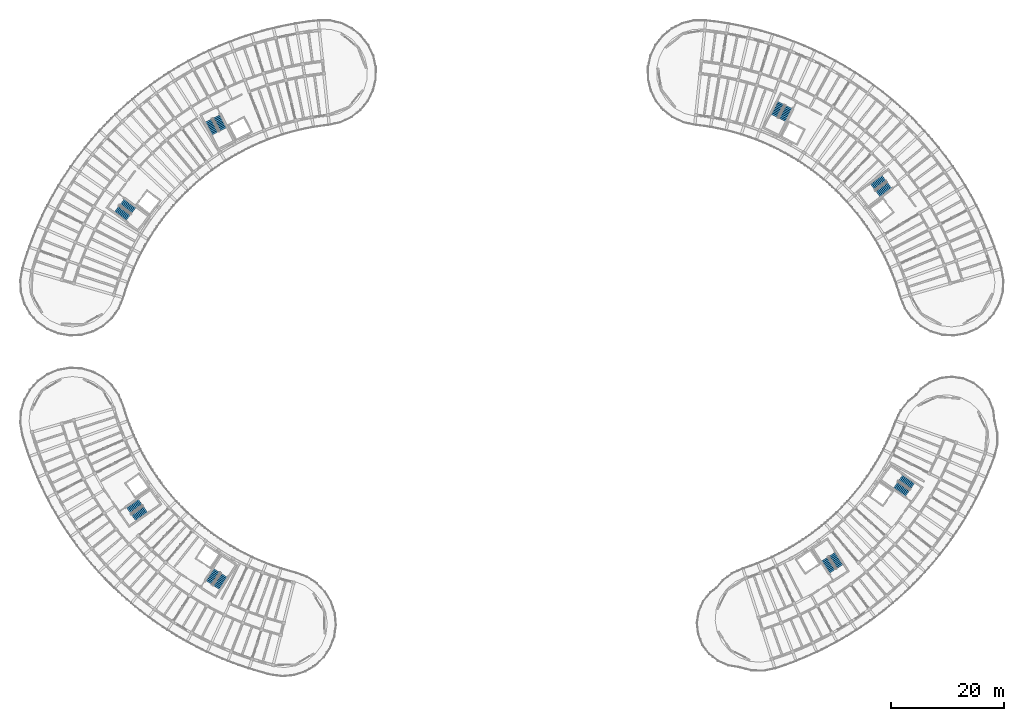
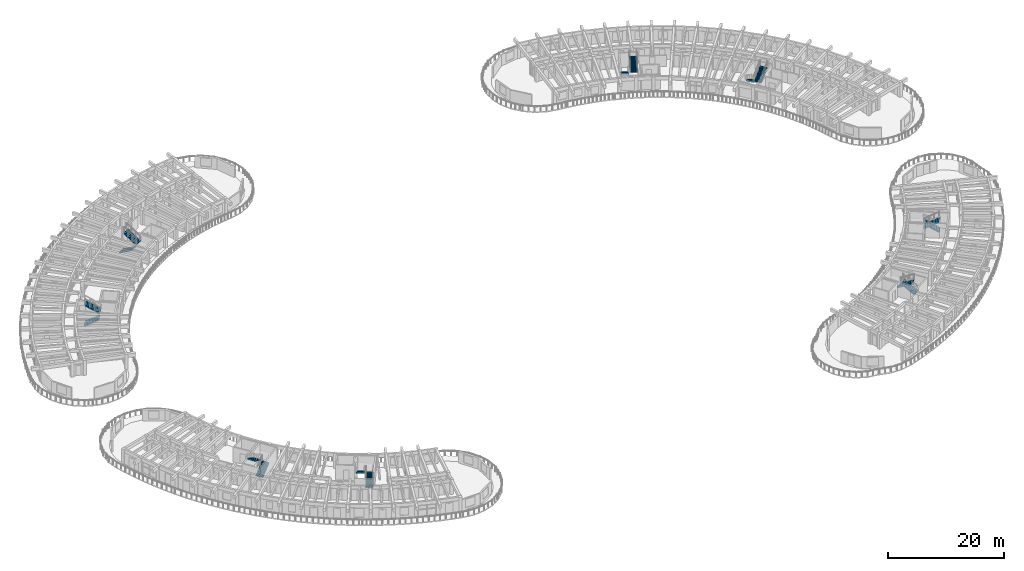
# One storey, part 60 of 81: 16 stair flights, 8 elements without a shape of their own.
"""IFC4 building model written with IfcOpenShell, lengths in metres."""

from ifc_helpers import new_model, si_unit, direction, frame, origin, place, context, subcontext, project, spatial, polyline, outline, extrude, material, layer, layer_set, type_object, element, aggregate, save


model = new_model("IFC4")

# Units and contexts
model_context = context("Model", 3, precision=1e-05, world=origin(), true_north=direction((0.0, 1.0)))
body_context = subcontext(model_context, "Body", "Model", "MODEL_VIEW")
ifc_project = project(units=[si_unit("LENGTHUNIT", "METRE"), si_unit("AREAUNIT", "SQUARE_METRE"), si_unit("VOLUMEUNIT", "CUBIC_METRE"), si_unit("PLANEANGLEUNIT", "RADIAN"), si_unit("MASSUNIT", "GRAM", prefix="KILO")], contexts=[model_context])

# Site, building, storey
site_placement = place(None, origin())
site = spatial("IfcSite", under=ifc_project, at=site_placement, CompositionType="ELEMENT")
building_placement = place(site_placement, origin())
building = spatial("IfcBuilding", under=site, at=building_placement, Name="Tanwirah Colonnade Gardens", CompositionType="ELEMENT")
storey_placement = place(building_placement, frame((0.0, 0.0, 18.919921875)))
storey = spatial("IfcBuildingStorey", under=building, at=storey_placement, Name="L05", CompositionType="ELEMENT", Elevation=18.919921875)

# Stair, stair flights
ifc_material = material(Name="Precast concrete C40/50", Category="concrete")
stair_type = type_object("IfcStairType", Name="ST-RES168", PredefinedType="HALF_TURN_STAIR", material=ifc_material)
stair_1_placement = place(storey_placement, origin())
stair_1 = element("IfcStair", 1, at=stair_1_placement, inside=storey, type_object=stair_type, Name="L05 Block A Core 1 Exit Stair", PredefinedType="HALF_TURN_STAIR")
ifc_layer = layer(ifc_material, 0.14990234375)
ifc_layer_set = layer_set([ifc_layer], Name="Precast concrete C40/50")
stair_flight_type = type_object("IfcStairFlightType", Name="FLT-RES150", PredefinedType="STRAIGHT", material=ifc_layer_set)
stair_flight_1_placement = place(storey_placement, frame((39.148681640625, 103.425048828125, 0.0), z_axis=(0.0, 0.0, 1.0), x_axis=(0.45399049974, -0.891006524188, 0.0)))
stair_flight_1 = element("IfcStairFlight", 2, at=stair_flight_1_placement, type_object=stair_flight_type, Name="ST-A1 flight 1", NumberOfRisers=10, NumberOfTreads=9, PredefinedType="STRAIGHT", RiserHeight=0.168, TreadLength=0.285, context=body_context, shape_type="SweptSolid", body=[
    extrude(outline(polyline([(-0.0048828125, 0.0), (0.0, 0.16796875), (0.284912109375, 0.16796875), (0.284912109375, 0.3359375), (0.570068359375, 0.3359375), (0.570068359375, 0.50390625), (0.85498046875, 0.50390625), (0.85498046875, 0.672119140625), (1.139892578125, 0.672119140625), (1.139892578125, 0.840087890625), (1.425048828125, 0.840087890625), (1.425048828125, 1.008056640625), (1.7099609375, 1.008056640625), (1.7099609375, 1.176025390625), (1.9951171875, 1.176025390625), (1.9951171875, 1.343994140625), (2.280029296875, 1.343994140625), (2.280029296875, 1.511962890625), (2.56494140625, 1.511962890625), (2.570068359375, 1.679931640625), (2.570068359375, 1.337890625), (0.30029296875, 0.0), (-0.0048828125, 0.0)])), frame((0.0, 0.68994140625, 0.0), z_axis=(0.0, -1.0, 0.0), x_axis=(1.0, 0.0, 0.0)), (0.0, 0.0, 1.0), 1.3798828125),
])
stair_flight_2_placement = place(storey_placement, frame((41.685302734375, 101.838623046875, 1.68017578125), z_axis=(0.0, 0.0, 1.0), x_axis=(-0.45399049974, 0.891006524188, 0.0)))
stair_flight_2 = element("IfcStairFlight", 3, at=stair_flight_2_placement, type_object=stair_flight_type, Name="ST-A1 flight 2", NumberOfRisers=10, NumberOfTreads=9, PredefinedType="STRAIGHT", RiserHeight=0.168, TreadLength=0.285, context=body_context, shape_type="SweptSolid", body=[
    extrude(outline(polyline([(-0.0048828125, 0.0), (0.0, 0.16796875), (0.284912109375, 0.16796875), (0.284912109375, 0.3359375), (0.570068359375, 0.3359375), (0.570068359375, 0.50390625), (0.85498046875, 0.50390625), (0.85498046875, 0.672119140625), (1.139892578125, 0.672119140625), (1.139892578125, 0.840087890625), (1.425048828125, 0.840087890625), (1.425048828125, 1.008056640625), (1.7099609375, 1.008056640625), (1.7099609375, 1.176025390625), (1.9951171875, 1.176025390625), (1.9951171875, 1.343994140625), (2.280029296875, 1.343994140625), (2.280029296875, 1.511962890625), (2.56494140625, 1.511962890625), (2.570068359375, 1.679931640625), (2.570068359375, 1.337890625), (0.30029296875, 0.0), (-0.0048828125, 0.0)])), frame((0.0, 0.68994140625, 0.0), z_axis=(0.0, -1.0, 0.0), x_axis=(1.0, 0.0, 0.0)), (0.0, 0.0, 1.0), 1.3798828125),
])
aggregate(stair_1, [stair_flight_1, stair_flight_2])

stair_2_placement = place(storey_placement, origin())
stair_2 = element("IfcStair", 4, at=stair_2_placement, inside=storey, type_object=stair_type, Name="L05 Block A Core 2 Exit Stair", PredefinedType="HALF_TURN_STAIR")
stair_flight_3_placement = place(storey_placement, frame((22.81640625, 87.7177734375, 0.0), z_axis=(0.0, 0.0, 1.0), x_axis=(0.798635510047, -0.601815023152, 0.0)))
stair_flight_3 = element("IfcStairFlight", 5, at=stair_flight_3_placement, type_object=stair_flight_type, Name="ST-A2 flight 1", NumberOfRisers=10, NumberOfTreads=9, PredefinedType="STRAIGHT", RiserHeight=0.168, TreadLength=0.285, context=body_context, shape_type="SweptSolid", body=[
    extrude(outline(polyline([(-0.0048828125, 0.0), (0.0, 0.16796875), (0.284912109375, 0.16796875), (0.284912109375, 0.3359375), (0.570068359375, 0.3359375), (0.570068359375, 0.50390625), (0.85498046875, 0.50390625), (0.85498046875, 0.672119140625), (1.139892578125, 0.672119140625), (1.139892578125, 0.840087890625), (1.425048828125, 0.840087890625), (1.425048828125, 1.008056640625), (1.7099609375, 1.008056640625), (1.7099609375, 1.176025390625), (1.9951171875, 1.176025390625), (1.9951171875, 1.343994140625), (2.280029296875, 1.343994140625), (2.280029296875, 1.511962890625), (2.56494140625, 1.511962890625), (2.570068359375, 1.679931640625), (2.570068359375, 1.337890625), (0.30029296875, 0.0), (-0.0048828125, 0.0)])), frame((0.0, 0.68994140625, 0.0), z_axis=(0.0, -1.0, 0.0), x_axis=(1.0, 0.0, 0.0)), (0.0, 0.0, 1.0), 1.3798828125),
])
stair_flight_4_placement = place(storey_placement, frame((25.791748046875, 87.404052734375, 1.68017578125), z_axis=(0.0, 0.0, 1.0), x_axis=(-0.798635510047, 0.601815023152, 0.0)))
stair_flight_4 = element("IfcStairFlight", 6, at=stair_flight_4_placement, type_object=stair_flight_type, Name="ST-A2 flight 2", NumberOfRisers=10, NumberOfTreads=9, PredefinedType="STRAIGHT", RiserHeight=0.168, TreadLength=0.285, context=body_context, shape_type="SweptSolid", body=[
    extrude(outline(polyline([(-0.0048828125, 0.0), (0.0, 0.16796875), (0.284912109375, 0.16796875), (0.284912109375, 0.3359375), (0.570068359375, 0.3359375), (0.570068359375, 0.50390625), (0.85498046875, 0.50390625), (0.85498046875, 0.672119140625), (1.139892578125, 0.672119140625), (1.139892578125, 0.840087890625), (1.425048828125, 0.840087890625), (1.425048828125, 1.008056640625), (1.7099609375, 1.008056640625), (1.7099609375, 1.176025390625), (1.9951171875, 1.176025390625), (1.9951171875, 1.343994140625), (2.280029296875, 1.343994140625), (2.280029296875, 1.511962890625), (2.56494140625, 1.511962890625), (2.570068359375, 1.679931640625), (2.570068359375, 1.337890625), (0.30029296875, 0.0), (-0.0048828125, 0.0)])), frame((0.0, 0.68994140625, 0.0), z_axis=(0.0, -1.0, 0.0), x_axis=(1.0, 0.0, 0.0)), (0.0, 0.0, 1.0), 1.3798828125),
])
aggregate(stair_2, [stair_flight_3, stair_flight_4])

stair_3_placement = place(storey_placement, origin())
stair_3 = element("IfcStair", 7, at=stair_3_placement, inside=storey, type_object=stair_type, Name="L05 Block B Core 1 Exit Stair", PredefinedType="HALF_TURN_STAIR")
stair_flight_5_placement = place(storey_placement, frame((159.079345703125, 93.16455078125, 0.0), z_axis=(0.0, 0.0, 1.0), x_axis=(-0.798635510047, -0.601815023152, 0.0)))
stair_flight_5 = element("IfcStairFlight", 8, at=stair_flight_5_placement, type_object=stair_flight_type, Name="ST-B1 flight 1", NumberOfRisers=10, NumberOfTreads=9, PredefinedType="STRAIGHT", RiserHeight=0.168, TreadLength=0.285, context=body_context, shape_type="SweptSolid", body=[
    extrude(outline(polyline([(-0.0048828125, 0.0), (0.0, 0.16796875), (0.284912109375, 0.16796875), (0.284912109375, 0.3359375), (0.570068359375, 0.3359375), (0.570068359375, 0.50390625), (0.85498046875, 0.50390625), (0.85498046875, 0.672119140625), (1.139892578125, 0.672119140625), (1.139892578125, 0.840087890625), (1.425048828125, 0.840087890625), (1.425048828125, 1.008056640625), (1.7099609375, 1.008056640625), (1.7099609375, 1.176025390625), (1.9951171875, 1.176025390625), (1.9951171875, 1.343994140625), (2.280029296875, 1.343994140625), (2.280029296875, 1.511962890625), (2.56494140625, 1.511962890625), (2.570068359375, 1.679931640625), (2.570068359375, 1.337890625), (0.30029296875, 0.0), (-0.0048828125, 0.0)])), frame((0.0, 0.68994140625, 0.0), z_axis=(0.0, -1.0, 0.0), x_axis=(1.0, 0.0, 0.0)), (0.0, 0.0, 1.0), 1.3798828125),
])
stair_flight_6_placement = place(storey_placement, frame((157.95751953125, 90.39111328125, 1.68017578125), z_axis=(0.0, 0.0, 1.0), x_axis=(0.798635510047, 0.601815023152, 0.0)))
stair_flight_6 = element("IfcStairFlight", 9, at=stair_flight_6_placement, type_object=stair_flight_type, Name="ST-B1 flight 2", NumberOfRisers=10, NumberOfTreads=9, PredefinedType="STRAIGHT", RiserHeight=0.168, TreadLength=0.285, context=body_context, shape_type="SweptSolid", body=[
    extrude(outline(polyline([(-0.0048828125, 0.0), (0.0, 0.16796875), (0.284912109375, 0.16796875), (0.284912109375, 0.3359375), (0.570068359375, 0.3359375), (0.570068359375, 0.50390625), (0.85498046875, 0.50390625), (0.85498046875, 0.672119140625), (1.139892578125, 0.672119140625), (1.139892578125, 0.840087890625), (1.425048828125, 0.840087890625), (1.425048828125, 1.008056640625), (1.7099609375, 1.008056640625), (1.7099609375, 1.176025390625), (1.9951171875, 1.176025390625), (1.9951171875, 1.343994140625), (2.280029296875, 1.343994140625), (2.280029296875, 1.511962890625), (2.56494140625, 1.511962890625), (2.570068359375, 1.679931640625), (2.570068359375, 1.337890625), (0.30029296875, 0.0), (-0.0048828125, 0.0)])), frame((0.0, 0.68994140625, 0.0), z_axis=(0.0, -1.0, 0.0), x_axis=(1.0, 0.0, 0.0)), (0.0, 0.0, 1.0), 1.3798828125),
])
aggregate(stair_3, [stair_flight_5, stair_flight_6])

stair_4_placement = place(storey_placement, origin())
stair_4 = element("IfcStair", 10, at=stair_4_placement, inside=storey, type_object=stair_type, Name="L05 Block B Core 2 Exit Stair", PredefinedType="HALF_TURN_STAIR")
stair_flight_7_placement = place(storey_placement, frame((140.774658203125, 106.521240234375, 0.0), z_axis=(0.0, 0.0, 1.0), x_axis=(-0.45399049974, -0.891006524188, 0.0)))
stair_flight_7 = element("IfcStairFlight", 11, at=stair_flight_7_placement, type_object=stair_flight_type, Name="ST-B2 flight 1", NumberOfRisers=10, NumberOfTreads=9, PredefinedType="STRAIGHT", RiserHeight=0.168, TreadLength=0.285, context=body_context, shape_type="SweptSolid", body=[
    extrude(outline(polyline([(-0.0048828125, 0.0), (0.0, 0.16796875), (0.284912109375, 0.16796875), (0.284912109375, 0.3359375), (0.570068359375, 0.3359375), (0.570068359375, 0.50390625), (0.85498046875, 0.50390625), (0.85498046875, 0.672119140625), (1.139892578125, 0.672119140625), (1.139892578125, 0.840087890625), (1.425048828125, 0.840087890625), (1.425048828125, 1.008056640625), (1.7099609375, 1.008056640625), (1.7099609375, 1.176025390625), (1.9951171875, 1.176025390625), (1.9951171875, 1.343994140625), (2.280029296875, 1.343994140625), (2.280029296875, 1.511962890625), (2.56494140625, 1.511962890625), (2.570068359375, 1.679931640625), (2.570068359375, 1.337890625), (0.30029296875, 0.0), (-0.0048828125, 0.0)])), frame((0.0, 0.68994140625, 0.0), z_axis=(0.0, -1.0, 0.0), x_axis=(1.0, 0.0, 0.0)), (0.0, 0.0, 1.0), 1.3798828125),
])
stair_flight_8_placement = place(storey_placement, frame((140.982421875, 103.53662109375, 1.68017578125), z_axis=(0.0, 0.0, 1.0), x_axis=(0.45399049974, 0.891006524188, 0.0)))
stair_flight_8 = element("IfcStairFlight", 12, at=stair_flight_8_placement, type_object=stair_flight_type, Name="ST-B2 flight 2", NumberOfRisers=10, NumberOfTreads=9, PredefinedType="STRAIGHT", RiserHeight=0.168, TreadLength=0.285, context=body_context, shape_type="SweptSolid", body=[
    extrude(outline(polyline([(-0.0048828125, 0.0), (0.0, 0.16796875), (0.284912109375, 0.16796875), (0.284912109375, 0.3359375), (0.570068359375, 0.3359375), (0.570068359375, 0.50390625), (0.85498046875, 0.50390625), (0.85498046875, 0.672119140625), (1.139892578125, 0.672119140625), (1.139892578125, 0.840087890625), (1.425048828125, 0.840087890625), (1.425048828125, 1.008056640625), (1.7099609375, 1.008056640625), (1.7099609375, 1.176025390625), (1.9951171875, 1.176025390625), (1.9951171875, 1.343994140625), (2.280029296875, 1.343994140625), (2.280029296875, 1.511962890625), (2.56494140625, 1.511962890625), (2.570068359375, 1.679931640625), (2.570068359375, 1.337890625), (0.30029296875, 0.0), (-0.0048828125, 0.0)])), frame((0.0, 0.68994140625, 0.0), z_axis=(0.0, -1.0, 0.0), x_axis=(1.0, 0.0, 0.0)), (0.0, 0.0, 1.0), 1.3798828125),
])
aggregate(stair_4, [stair_flight_7, stair_flight_8])

stair_5_placement = place(storey_placement, origin())
stair_5 = element("IfcStair", 13, at=stair_5_placement, inside=storey, type_object=stair_type, Name="L05 Block C Core 1 Exit Stair", PredefinedType="HALF_TURN_STAIR")
stair_flight_9_placement = place(storey_placement, frame((25.79345703125, 32.884521484375, 0.0), z_axis=(0.0, 0.0, 1.0), x_axis=(0.819152044289, 0.573576436351, 0.0)))
stair_flight_9 = element("IfcStairFlight", 14, at=stair_flight_9_placement, type_object=stair_flight_type, Name="ST-C1 flight 1", NumberOfRisers=10, NumberOfTreads=9, PredefinedType="STRAIGHT", RiserHeight=0.168, TreadLength=0.285, context=body_context, shape_type="SweptSolid", body=[
    extrude(outline(polyline([(-0.0048828125, 0.0), (0.0, 0.16796875), (0.284912109375, 0.16796875), (0.284912109375, 0.3359375), (0.570068359375, 0.3359375), (0.570068359375, 0.50390625), (0.85498046875, 0.50390625), (0.85498046875, 0.672119140625), (1.139892578125, 0.672119140625), (1.139892578125, 0.840087890625), (1.425048828125, 0.840087890625), (1.425048828125, 1.008056640625), (1.7099609375, 1.008056640625), (1.7099609375, 1.176025390625), (1.9951171875, 1.176025390625), (1.9951171875, 1.343994140625), (2.280029296875, 1.343994140625), (2.280029296875, 1.511962890625), (2.56494140625, 1.511962890625), (2.570068359375, 1.679931640625), (2.570068359375, 1.337890625), (0.30029296875, 0.0), (-0.0048828125, 0.0)])), frame((0.0, 0.68994140625, 0.0), z_axis=(0.0, -1.0, 0.0), x_axis=(1.0, 0.0, 0.0)), (0.0, 0.0, 1.0), 1.3798828125),
])
stair_flight_10_placement = place(storey_placement, frame((27.01123046875, 35.6171875, 1.68017578125), z_axis=(0.0, 0.0, 1.0), x_axis=(-0.819152044289, -0.573576436351, 0.0)))
stair_flight_10 = element("IfcStairFlight", 15, at=stair_flight_10_placement, type_object=stair_flight_type, Name="ST-C1 flight 2", NumberOfRisers=10, NumberOfTreads=9, PredefinedType="STRAIGHT", RiserHeight=0.168, TreadLength=0.285, context=body_context, shape_type="SweptSolid", body=[
    extrude(outline(polyline([(-0.0048828125, 0.0), (0.0, 0.16796875), (0.284912109375, 0.16796875), (0.284912109375, 0.3359375), (0.570068359375, 0.3359375), (0.570068359375, 0.50390625), (0.85498046875, 0.50390625), (0.85498046875, 0.672119140625), (1.139892578125, 0.672119140625), (1.139892578125, 0.840087890625), (1.425048828125, 0.840087890625), (1.425048828125, 1.008056640625), (1.7099609375, 1.008056640625), (1.7099609375, 1.176025390625), (1.9951171875, 1.176025390625), (1.9951171875, 1.343994140625), (2.280029296875, 1.343994140625), (2.280029296875, 1.511962890625), (2.56494140625, 1.511962890625), (2.570068359375, 1.679931640625), (2.570068359375, 1.337890625), (0.30029296875, 0.0), (-0.0048828125, 0.0)])), frame((0.0, 0.68994140625, 0.0), z_axis=(0.0, -1.0, 0.0), x_axis=(1.0, 0.0, 0.0)), (0.0, 0.0, 1.0), 1.3798828125),
])
aggregate(stair_5, [stair_flight_9, stair_flight_10])

stair_6_placement = place(storey_placement, origin())
stair_6 = element("IfcStair", 16, at=stair_6_placement, inside=storey, type_object=stair_type, Name="L05 Block C Core 2 Exit Stair", PredefinedType="HALF_TURN_STAIR")
stair_flight_11_placement = place(storey_placement, frame((40.49169921875, 20.49951171875, 0.0), z_axis=(0.0, 0.0, 1.0), x_axis=(0.544639035015, 0.838670567945, 0.0)))
stair_flight_11 = element("IfcStairFlight", 17, at=stair_flight_11_placement, type_object=stair_flight_type, Name="ST-C2 flight 1", NumberOfRisers=10, NumberOfTreads=9, PredefinedType="STRAIGHT", RiserHeight=0.168, TreadLength=0.285, context=body_context, shape_type="SweptSolid", body=[
    extrude(outline(polyline([(-0.0048828125, 0.0), (0.0, 0.16796875), (0.284912109375, 0.16796875), (0.284912109375, 0.3359375), (0.570068359375, 0.3359375), (0.570068359375, 0.50390625), (0.85498046875, 0.50390625), (0.85498046875, 0.672119140625), (1.139892578125, 0.672119140625), (1.139892578125, 0.840087890625), (1.425048828125, 0.840087890625), (1.425048828125, 1.008056640625), (1.7099609375, 1.008056640625), (1.7099609375, 1.176025390625), (1.9951171875, 1.176025390625), (1.9951171875, 1.343994140625), (2.280029296875, 1.343994140625), (2.280029296875, 1.511962890625), (2.56494140625, 1.511962890625), (2.570068359375, 1.679931640625), (2.570068359375, 1.337890625), (0.30029296875, 0.0), (-0.0048828125, 0.0)])), frame((0.0, 0.68994140625, 0.0), z_axis=(0.0, -1.0, 0.0), x_axis=(1.0, 0.0, 0.0)), (0.0, 0.0, 1.0), 1.3798828125),
])
stair_flight_12_placement = place(storey_placement, frame((40.59716796875, 23.489501953125, 1.68017578125), z_axis=(0.0, 0.0, 1.0), x_axis=(-0.544639035015, -0.838670567945, 0.0)))
stair_flight_12 = element("IfcStairFlight", 18, at=stair_flight_12_placement, type_object=stair_flight_type, Name="ST-C2 flight 2", NumberOfRisers=10, NumberOfTreads=9, PredefinedType="STRAIGHT", RiserHeight=0.168, TreadLength=0.285, context=body_context, shape_type="SweptSolid", body=[
    extrude(outline(polyline([(-0.0048828125, 0.0), (0.0, 0.16796875), (0.284912109375, 0.16796875), (0.284912109375, 0.3359375), (0.570068359375, 0.3359375), (0.570068359375, 0.50390625), (0.85498046875, 0.50390625), (0.85498046875, 0.672119140625), (1.139892578125, 0.672119140625), (1.139892578125, 0.840087890625), (1.425048828125, 0.840087890625), (1.425048828125, 1.008056640625), (1.7099609375, 1.008056640625), (1.7099609375, 1.176025390625), (1.9951171875, 1.176025390625), (1.9951171875, 1.343994140625), (2.280029296875, 1.343994140625), (2.280029296875, 1.511962890625), (2.56494140625, 1.511962890625), (2.570068359375, 1.679931640625), (2.570068359375, 1.337890625), (0.30029296875, 0.0), (-0.0048828125, 0.0)])), frame((0.0, 0.68994140625, 0.0), z_axis=(0.0, -1.0, 0.0), x_axis=(1.0, 0.0, 0.0)), (0.0, 0.0, 1.0), 1.3798828125),
])
aggregate(stair_6, [stair_flight_11, stair_flight_12])

stair_7_placement = place(storey_placement, origin())
stair_7 = element("IfcStair", 19, at=stair_7_placement, inside=storey, type_object=stair_type, Name="L05 Block D Core 1 Exit Stair", PredefinedType="HALF_TURN_STAIR")
stair_flight_13_placement = place(storey_placement, frame((151.22802734375, 24.214111328125, 0.0), z_axis=(0.0, 0.0, 1.0), x_axis=(-0.544639035015, 0.838670567945, 0.0)))
stair_flight_13 = element("IfcStairFlight", 20, at=stair_flight_13_placement, type_object=stair_flight_type, Name="ST-D1 flight 1", NumberOfRisers=10, NumberOfTreads=9, PredefinedType="STRAIGHT", RiserHeight=0.168, TreadLength=0.285, context=body_context, shape_type="SweptSolid", body=[
    extrude(outline(polyline([(-0.0048828125, 0.0), (0.0, 0.16796875), (0.284912109375, 0.16796875), (0.284912109375, 0.3359375), (0.570068359375, 0.3359375), (0.570068359375, 0.50390625), (0.85498046875, 0.50390625), (0.85498046875, 0.672119140625), (1.139892578125, 0.672119140625), (1.139892578125, 0.840087890625), (1.425048828125, 0.840087890625), (1.425048828125, 1.008056640625), (1.7099609375, 1.008056640625), (1.7099609375, 1.176025390625), (1.9951171875, 1.176025390625), (1.9951171875, 1.343994140625), (2.280029296875, 1.343994140625), (2.280029296875, 1.511962890625), (2.56494140625, 1.511962890625), (2.570068359375, 1.679931640625), (2.570068359375, 1.337890625), (0.30029296875, 0.0), (-0.0048828125, 0.0)])), frame((0.0, 0.68994140625, 0.0), z_axis=(0.0, -1.0, 0.0), x_axis=(1.0, 0.0, 0.0)), (0.0, 0.0, 1.0), 1.3798828125),
])
stair_flight_14_placement = place(storey_placement, frame((148.539306640625, 25.5263671875, 1.68017578125), z_axis=(0.0, 0.0, 1.0), x_axis=(0.544639035015, -0.838670567945, 0.0)))
stair_flight_14 = element("IfcStairFlight", 21, at=stair_flight_14_placement, type_object=stair_flight_type, Name="ST-D1 flight 2", NumberOfRisers=10, NumberOfTreads=9, PredefinedType="STRAIGHT", RiserHeight=0.168, TreadLength=0.285, context=body_context, shape_type="SweptSolid", body=[
    extrude(outline(polyline([(-0.0048828125, 0.0), (0.0, 0.16796875), (0.284912109375, 0.16796875), (0.284912109375, 0.3359375), (0.570068359375, 0.3359375), (0.570068359375, 0.50390625), (0.85498046875, 0.50390625), (0.85498046875, 0.672119140625), (1.139892578125, 0.672119140625), (1.139892578125, 0.840087890625), (1.425048828125, 0.840087890625), (1.425048828125, 1.008056640625), (1.7099609375, 1.008056640625), (1.7099609375, 1.176025390625), (1.9951171875, 1.176025390625), (1.9951171875, 1.343994140625), (2.280029296875, 1.343994140625), (2.280029296875, 1.511962890625), (2.56494140625, 1.511962890625), (2.570068359375, 1.679931640625), (2.570068359375, 1.337890625), (0.30029296875, 0.0), (-0.0048828125, 0.0)])), frame((0.0, 0.68994140625, 0.0), z_axis=(0.0, -1.0, 0.0), x_axis=(1.0, 0.0, 0.0)), (0.0, 0.0, 1.0), 1.3798828125),
])
aggregate(stair_7, [stair_flight_13, stair_flight_14])

stair_8_placement = place(storey_placement, origin())
stair_8 = element("IfcStair", 22, at=stair_8_placement, inside=storey, type_object=stair_type, Name="L05 Block D Core 2 Exit Stair", PredefinedType="HALF_TURN_STAIR")
stair_flight_15_placement = place(storey_placement, frame((164.1181640625, 38.47119140625, 0.0), z_axis=(0.0, 0.0, 1.0), x_axis=(-0.819152044289, 0.573576436351, 0.0)))
stair_flight_15 = element("IfcStairFlight", 23, at=stair_flight_15_placement, type_object=stair_flight_type, Name="ST-D2 flight 1", NumberOfRisers=10, NumberOfTreads=9, PredefinedType="STRAIGHT", RiserHeight=0.168, TreadLength=0.285, context=body_context, shape_type="SweptSolid", body=[
    extrude(outline(polyline([(-0.0048828125, 0.0), (0.0, 0.16796875), (0.284912109375, 0.16796875), (0.284912109375, 0.3359375), (0.570068359375, 0.3359375), (0.570068359375, 0.50390625), (0.85498046875, 0.50390625), (0.85498046875, 0.672119140625), (1.139892578125, 0.672119140625), (1.139892578125, 0.840087890625), (1.425048828125, 0.840087890625), (1.425048828125, 1.008056640625), (1.7099609375, 1.008056640625), (1.7099609375, 1.176025390625), (1.9951171875, 1.176025390625), (1.9951171875, 1.343994140625), (2.280029296875, 1.343994140625), (2.280029296875, 1.511962890625), (2.56494140625, 1.511962890625), (2.570068359375, 1.679931640625), (2.570068359375, 1.337890625), (0.30029296875, 0.0), (-0.0048828125, 0.0)])), frame((0.0, 0.68994140625, 0.0), z_axis=(0.0, -1.0, 0.0), x_axis=(1.0, 0.0, 0.0)), (0.0, 0.0, 1.0), 1.3798828125),
])
stair_flight_16_placement = place(storey_placement, frame((161.1337890625, 38.680908203125, 1.68017578125), z_axis=(0.0, 0.0, 1.0), x_axis=(0.819152044289, -0.573576436351, 0.0)))
stair_flight_16 = element("IfcStairFlight", 24, at=stair_flight_16_placement, type_object=stair_flight_type, Name="ST-D2 flight 2", NumberOfRisers=10, NumberOfTreads=9, PredefinedType="STRAIGHT", RiserHeight=0.168, TreadLength=0.285, context=body_context, shape_type="SweptSolid", body=[
    extrude(outline(polyline([(-0.0048828125, 0.0), (0.0, 0.16796875), (0.284912109375, 0.16796875), (0.284912109375, 0.3359375), (0.570068359375, 0.3359375), (0.570068359375, 0.50390625), (0.85498046875, 0.50390625), (0.85498046875, 0.672119140625), (1.139892578125, 0.672119140625), (1.139892578125, 0.840087890625), (1.425048828125, 0.840087890625), (1.425048828125, 1.008056640625), (1.7099609375, 1.008056640625), (1.7099609375, 1.176025390625), (1.9951171875, 1.176025390625), (1.9951171875, 1.343994140625), (2.280029296875, 1.343994140625), (2.280029296875, 1.511962890625), (2.56494140625, 1.511962890625), (2.570068359375, 1.679931640625), (2.570068359375, 1.337890625), (0.30029296875, 0.0), (-0.0048828125, 0.0)])), frame((0.0, 0.68994140625, 0.0), z_axis=(0.0, -1.0, 0.0), x_axis=(1.0, 0.0, 0.0)), (0.0, 0.0, 1.0), 1.3798828125),
])
aggregate(stair_8, [stair_flight_15, stair_flight_16])

save(model, "model.ifc")
